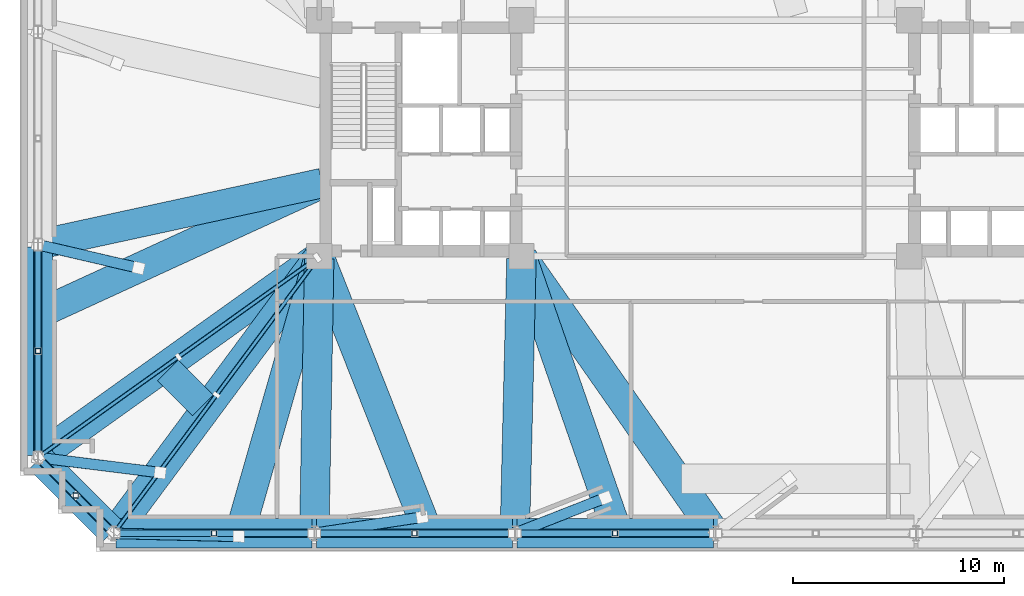
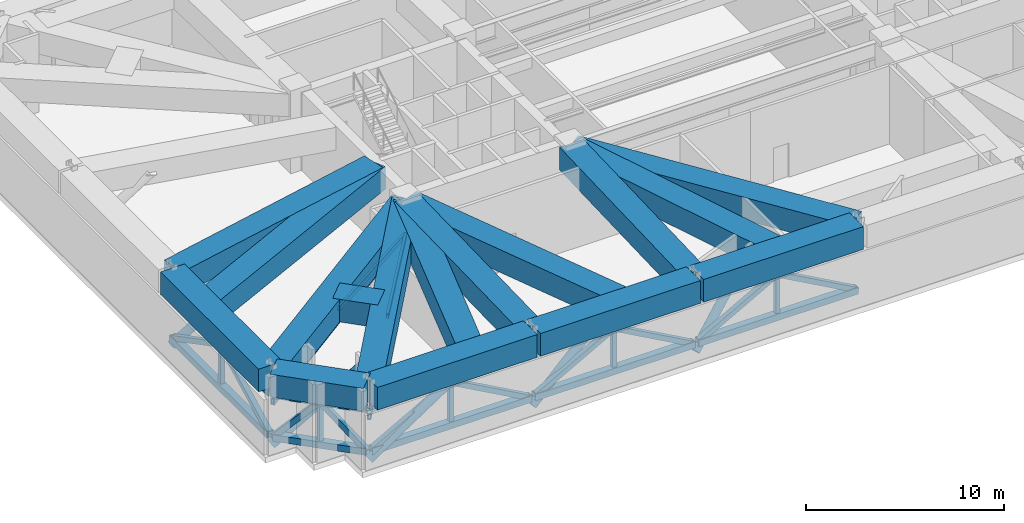
# One storey, part 4 of 20: 36 members, 16 beams.
"""IFC4 building model written with IfcOpenShell, lengths in metres."""

from ifc_helpers import new_model, si_unit, direction, frame, origin, origin_2d, place, context, subcontext, project, spatial, rectangle, hollow_rectangle, hollow_circle, extrude, material, material_profile, profile_set, type_object, element, save


model = new_model("IFC4")

# Units and contexts
model_context = context("Model", 3, precision=1e-05, world=origin(), true_north=direction((0.0, 1.0)))
body_context = subcontext(model_context, "Body", "Model", "MODEL_VIEW")
ifc_project = project(units=[si_unit("LENGTHUNIT", "METRE"), si_unit("AREAUNIT", "SQUARE_METRE"), si_unit("VOLUMEUNIT", "CUBIC_METRE"), si_unit("PLANEANGLEUNIT", "RADIAN"), si_unit("MASSUNIT", "GRAM", prefix="KILO")], contexts=[model_context])

# Site, building, storey
site_placement = place(None, origin())
site = spatial("IfcSite", under=ifc_project, at=site_placement, CompositionType="ELEMENT")
building_placement = place(site_placement, origin())
building = spatial("IfcBuilding", under=site, at=building_placement, Name="Qobustan Lattice House", CompositionType="ELEMENT")
storey_placement = place(building_placement, frame((0.0, 0.0, 73.89990234375)))
storey = spatial("IfcBuildingStorey", under=building, at=storey_placement, Name="L20", CompositionType="ELEMENT", Elevation=73.89990234375)

# Beams
ifc_material_1 = material(Name="Concrete C60/75", Category="concrete")
ifc_material_profile_1 = material_profile(ifc_material_1, rectangle(XDim=1.39990234375, YDim=1.39990234375, at=origin_2d()), Name="RC1400x1400")
ifc_profile_set_1 = profile_set([ifc_material_profile_1], Name="Concrete C60/75")
beam_type = type_object("IfcBeamType", Name="BM-TRG-RC1400", PredefinedType="USERDEFINED", material=ifc_profile_set_1)
for number, where, z_axis, x_axis, name in (
    (1, (-28.449951171875, -18.75, 4.1201171875), (1.0, 0.0, 0.0), (0.0, 1.0, 0.0), "L20 TT1 lower perimeter transfer girder S1-S2"),
    (2, (-18.933349609375, -18.75, 4.1201171875), (1.0, 0.0, 0.0), (0.0, 1.0, 0.0), "L20 TT1 lower perimeter transfer girder S2-S3"),
    (3, (-9.416748046875, -18.75, 4.1201171875), (1.0, 0.0, 0.0), (0.0, 1.0, 0.0), "L20 TT1 lower perimeter transfer girder S3-S4"),
):
    element("IfcBeam", number, at=place(storey_placement, frame(where, z_axis=z_axis, x_axis=x_axis)), inside=storey, type_object=beam_type, Name=name, ObjectType="GIRDER", PredefinedType="USERDEFINED", context=body_context, shape_type="SweptSolid", body=[
        extrude(rectangle(XDim=1.39990234375, YDim=1.39990234375, at=origin_2d()), origin(), (0.0, 0.0, 1.0), 9.316650390625),
    ])
beam_1_placement = place(storey_placement, frame((-32.14990234375, -5.14990234375, 4.1201171875), z_axis=(0.0, -1.0, 0.0), x_axis=(1.0, 0.0, 0.0)))
element("IfcBeam", 4, at=beam_1_placement, inside=storey, type_object=beam_type, Name="L20 TT1 lower perimeter transfer girder W3-W4", ObjectType="GIRDER", PredefinedType="USERDEFINED", context=body_context, shape_type="SweptSolid", body=[
    extrude(rectangle(XDim=1.39990234375, YDim=1.39990234375, at=origin_2d()), origin(), (0.0, 0.0, 1.0), 9.900146484375),
])
beam_2_placement = place(storey_placement, frame((-32.079345703125, -15.220703125, 4.1201171875), z_axis=(0.70713173775, -0.707081823743, 0.0), x_axis=(0.707081823743, 0.70713173775, 0.0)))
element("IfcBeam", 5, at=beam_2_placement, inside=storey, type_object=beam_type, Name="L20 TT1 lower perimeter transfer girder W4-S1", ObjectType="GIRDER", PredefinedType="USERDEFINED", context=body_context, shape_type="SweptSolid", body=[
    extrude(rectangle(XDim=1.39990234375, YDim=1.39990234375, at=origin_2d()), origin(), (0.0, 0.0, 1.0), 4.89111328125),
])
beam_3_placement = place(storey_placement, frame((-18.87158203125, -5.6962890625, 4.1201171875), z_axis=(-0.595585839157, -0.803291670688, 0.0), x_axis=(0.803291670688, -0.595585839157, 0.0)))
element("IfcBeam", 6, at=beam_3_placement, inside=storey, type_object=beam_type, Name="L20 TT1 radial transfer girder S1", ObjectType="GIRDER", PredefinedType="USERDEFINED", context=body_context, shape_type="SweptSolid", body=[
    extrude(rectangle(XDim=1.39990234375, YDim=1.39990234375, at=origin_2d()), origin(), (0.0, 0.0, 1.0), 16.130126953125),
])
beam_4_placement = place(storey_placement, frame((-18.802001953125, -5.719970703125, 4.1201171875), z_axis=(-0.017754722816, -0.999842372486, 0.0), x_axis=(0.999842372486, -0.017754722816, 0.0)))
element("IfcBeam", 7, at=beam_4_placement, inside=storey, type_object=beam_type, Name="L20 TT1 radial transfer girder S2", ObjectType="GIRDER", PredefinedType="USERDEFINED", context=body_context, shape_type="SweptSolid", body=[
    extrude(rectangle(XDim=1.39990234375, YDim=1.39990234375, at=origin_2d()), origin(), (0.0, 0.0, 1.0), 12.911865234375),
])
beam_5_placement = place(storey_placement, frame((-9.202880859375, -5.719970703125, 4.1201171875), z_axis=(-0.024085750634, -0.999709896228, 0.0), x_axis=(0.999709896228, -0.024085750634, 0.0)))
element("IfcBeam", 8, at=beam_5_placement, inside=storey, type_object=beam_type, Name="L20 TT1 radial transfer girder S3", ObjectType="GIRDER", PredefinedType="USERDEFINED", context=body_context, shape_type="SweptSolid", body=[
    extrude(rectangle(XDim=1.39990234375, YDim=1.39990234375, at=origin_2d()), origin(), (0.0, 0.0, 1.0), 12.91357421875),
])
beam_6_placement = place(storey_placement, frame((-9.131103515625, -5.6982421875, 4.1201171875), z_axis=(0.57324570132, -0.819383527976, 0.0), x_axis=(0.819383527976, 0.57324570132, 0.0)))
element("IfcBeam", 9, at=beam_6_placement, inside=storey, type_object=beam_type, Name="L20 TT1 radial transfer girder S4", ObjectType="GIRDER", PredefinedType="USERDEFINED", context=body_context, shape_type="SweptSolid", body=[
    extrude(rectangle(XDim=1.39990234375, YDim=1.39990234375, at=origin_2d()), origin(), (0.0, 0.0, 1.0), 15.80859375),
])
beam_7_placement = place(storey_placement, frame((-18.667236328125, -2.12548828125, 4.1201171875), z_axis=(-0.977272930784, -0.211984949366, 0.0), x_axis=(0.211984949366, -0.977272930784, 0.0)))
element("IfcBeam", 10, at=beam_7_placement, inside=storey, type_object=beam_type, Name="L20 TT1 radial transfer girder W3", ObjectType="GIRDER", PredefinedType="USERDEFINED", context=body_context, shape_type="SweptSolid", body=[
    extrude(rectangle(XDim=1.39990234375, YDim=1.39990234375, at=origin_2d()), origin(), (0.0, 0.0, 1.0), 13.67626953125),
])
beam_8_placement = place(storey_placement, frame((-18.897705078125, -5.669921875, 4.1201171875), z_axis=(-0.813327350359, -0.581806343347, 0.0), x_axis=(0.581806343347, -0.813327350359, 0.0)))
element("IfcBeam", 11, at=beam_8_placement, inside=storey, type_object=beam_type, Name="L20 TT1 radial transfer girder W4", ObjectType="GIRDER", PredefinedType="USERDEFINED", context=body_context, shape_type="SweptSolid", body=[
    extrude(rectangle(XDim=1.39990234375, YDim=1.39990234375, at=origin_2d()), origin(), (0.0, 0.0, 1.0), 16.174072265625),
])
beam_9_placement = place(storey_placement, frame((-24.318115234375, -12.677001953125, 4.1201171875), z_axis=(-0.707055056174, 0.707158502415, 0.0), x_axis=(-0.707158502415, -0.707055056174, 0.0)))
element("IfcBeam", 12, at=beam_9_placement, inside=storey, type_object=beam_type, Name="L20 TT1 quadrant transfer tie girder 3", ObjectType="GIRDER", PredefinedType="USERDEFINED", context=body_context, shape_type="SweptSolid", body=[
    extrude(rectangle(XDim=1.39990234375, YDim=1.39990234375, at=origin_2d()), origin(), (0.0, 0.0, 1.0), 2.360107421875),
])
beam_10_placement = place(storey_placement, frame((-18.8330078125, -5.71533203125, 4.1201171875), z_axis=(-0.276127417213, -0.961121037884, 0.0), x_axis=(0.961121037884, -0.276127417213, 0.0)))
element("IfcBeam", 13, at=beam_10_placement, inside=storey, type_object=beam_type, Name="L20 TT1 primary column transfer girder S1", ObjectType="GIRDER", PredefinedType="USERDEFINED", context=body_context, shape_type="SweptSolid", body=[
    extrude(rectangle(XDim=1.39990234375, YDim=1.39990234375, at=origin_2d()), origin(), (0.0, 0.0, 1.0), 13.342041015625),
])
beam_11_placement = place(storey_placement, frame((-18.756103515625, -5.711669921875, 4.1201171875), z_axis=(0.366888905344, -0.930264763998, 0.0), x_axis=(0.930264763998, 0.366888905344, 0.0)))
element("IfcBeam", 14, at=beam_11_placement, inside=storey, type_object=beam_type, Name="L20 TT1 primary column transfer girder S2", ObjectType="GIRDER", PredefinedType="USERDEFINED", context=body_context, shape_type="SweptSolid", body=[
    extrude(rectangle(XDim=1.39990234375, YDim=1.39990234375, at=origin_2d()), origin(), (0.0, 0.0, 1.0), 13.7958984375),
])
beam_12_placement = place(storey_placement, frame((-9.16064453125, -5.71337890625, 4.1201171875), z_axis=(0.328276589853, -0.944581643139, 0.0), x_axis=(0.944581643139, 0.328276589853, 0.0)))
element("IfcBeam", 15, at=beam_12_placement, inside=storey, type_object=beam_type, Name="L20 TT1 primary column transfer girder S3", ObjectType="GIRDER", PredefinedType="USERDEFINED", context=body_context, shape_type="SweptSolid", body=[
    extrude(rectangle(XDim=1.39990234375, YDim=1.39990234375, at=origin_2d()), origin(), (0.0, 0.0, 1.0), 13.58154296875),
])
beam_13_placement = place(storey_placement, frame((-18.658935546875, -2.150146484375, 4.1201171875), z_axis=(-0.908673250035, -0.417507993541, 0.0), x_axis=(0.417507993541, -0.908673250035, 0.0)))
element("IfcBeam", 16, at=beam_13_placement, inside=storey, type_object=beam_type, Name="L20 TT1 primary column transfer girder W3", ObjectType="GIRDER", PredefinedType="USERDEFINED", context=body_context, shape_type="SweptSolid", body=[
    extrude(rectangle(XDim=1.39990234375, YDim=1.39990234375, at=origin_2d()), origin(), (0.0, 0.0, 1.0), 14.627197265625),
])

# Members
ifc_material_2 = material(Name="Steel S355", Category="steel")
ifc_material_profile_2 = material_profile(ifc_material_2, hollow_rectangle(XDim=0.14990234375, YDim=0.300048828125, WallThickness=0.012451171875, at=origin_2d()), Name="RHS300x150x12.5")
ifc_profile_set_2 = profile_set([ifc_material_profile_2], Name="Steel S355")
member_type_1 = type_object("IfcMemberType", Name="MEM-BRC-RHS300", PredefinedType="BRACE", material=ifc_profile_set_2)
for number, where, z_axis, x_axis, name in (
    (17, (-18.897705078125, -5.669921875, 2.550048828125), (-0.811170788015, -0.580263666034, 0.072773831507), (0.581806343347, -0.813327350359, 0.0), "L20 TT1 outrigger diagonal OUT-WS-1"),
    (18, (-25.47509765625, -10.375, 3.14013671875), (-0.811170788015, -0.580263666034, -0.072773831507), (0.581806343347, -0.813327350359, 0.0), "L20 TT1 outrigger diagonal OUT-WS-2"),
):
    element("IfcMember", number, at=place(storey_placement, frame(where, z_axis=z_axis, x_axis=x_axis)), inside=storey, type_object=member_type_1, Name=name, PredefinedType="BRACE", context=body_context, shape_type="SweptSolid", body=[
        extrude(hollow_rectangle(XDim=0.14990234375, YDim=0.300048828125, WallThickness=0.012451171875, at=origin_2d()), origin(), (0.0, 0.0, 1.0), 8.1083984375),
    ])
for number, where, z_axis, x_axis, name in (
    (19, (-18.87158203125, -5.6962890625, 2.550048828125), (-0.593990885889, -0.801155585201, 0.072969553809), (0.803297039527, -0.595578597909, 0.0), "L20 TT1 outrigger diagonal OUT-WN-1"),
    (20, (-23.675048828125, -12.175048828125, 3.14013671875), (-0.594005252993, -0.80114477222, -0.072971318754), (0.803286301652, -0.595593080532, 0.0), "L20 TT1 outrigger diagonal OUT-WN-2"),
):
    element("IfcMember", number, at=place(storey_placement, frame(where, z_axis=z_axis, x_axis=x_axis)), inside=storey, type_object=member_type_1, Name=name, PredefinedType="BRACE", context=body_context, shape_type="SweptSolid", body=[
        extrude(hollow_rectangle(XDim=0.14990234375, YDim=0.300048828125, WallThickness=0.012451171875, at=origin_2d()), origin(), (0.0, 0.0, 1.0), 8.086669921875),
    ])
ifc_material_3 = material(Name="Steel S355", Category="steel")
ifc_material_profile_3 = material_profile(ifc_material_3, hollow_rectangle(XDim=0.300048828125, YDim=0.300048828125, WallThickness=0.01611328125, at=origin_2d()), Name="SHS300x300x16")
ifc_profile_set_3 = profile_set([ifc_material_profile_3], Name="Steel S355")
member_type_2 = type_object("IfcMemberType", Name="MEM-BRC-SHS300", PredefinedType="BRACE", material=ifc_profile_set_3)
member_1_placement = place(storey_placement, frame((-28.449951171875, -18.75, 0.550048828125), z_axis=(0.873993021838, 0.0, 0.485938471185), x_axis=(0.0, 1.0, 0.0)))
element("IfcMember", 21, at=member_1_placement, inside=storey, type_object=member_type_2, Name="L20 TT1 belt truss web diagonal S1-S2 A", PredefinedType="BRACE", context=body_context, shape_type="SweptSolid", body=[
    extrude(hollow_rectangle(XDim=0.300048828125, YDim=0.300048828125, WallThickness=0.01611328125, at=origin_2d()), origin(), (0.0, 0.0, 1.0), 5.330078125),
])
member_2_placement = place(storey_placement, frame((-23.79150390625, -18.75, 3.14013671875), z_axis=(0.873982205121, 0.0, -0.485957925269), x_axis=(0.0, 1.0, 0.0)))
element("IfcMember", 22, at=member_2_placement, inside=storey, type_object=member_type_2, Name="L20 TT1 belt truss web diagonal S1-S2 B", PredefinedType="BRACE", context=body_context, shape_type="SweptSolid", body=[
    extrude(hollow_rectangle(XDim=0.300048828125, YDim=0.300048828125, WallThickness=0.01611328125, at=origin_2d()), origin(), (0.0, 0.0, 1.0), 5.329833984375),
])
member_3_placement = place(storey_placement, frame((-18.933349609375, -18.75, 0.550048828125), z_axis=(0.873993021838, 0.0, 0.485938471185), x_axis=(0.0, 1.0, 0.0)))
element("IfcMember", 23, at=member_3_placement, inside=storey, type_object=member_type_2, Name="L20 TT1 belt truss web diagonal S2-S3 A", PredefinedType="BRACE", context=body_context, shape_type="SweptSolid", body=[
    extrude(hollow_rectangle(XDim=0.300048828125, YDim=0.300048828125, WallThickness=0.01611328125, at=origin_2d()), origin(), (0.0, 0.0, 1.0), 5.330078125),
])
member_4_placement = place(storey_placement, frame((-14.27490234375, -18.75, 3.14013671875), z_axis=(0.873982205121, 0.0, -0.485957925269), x_axis=(0.0, 1.0, 0.0)))
element("IfcMember", 24, at=member_4_placement, inside=storey, type_object=member_type_2, Name="L20 TT1 belt truss web diagonal S2-S3 B", PredefinedType="BRACE", context=body_context, shape_type="SweptSolid", body=[
    extrude(hollow_rectangle(XDim=0.300048828125, YDim=0.300048828125, WallThickness=0.01611328125, at=origin_2d()), origin(), (0.0, 0.0, 1.0), 5.329833984375),
])
member_5_placement = place(storey_placement, frame((-9.416748046875, -18.75, 0.550048828125), z_axis=(0.873993021838, 0.0, 0.485938471185), x_axis=(0.0, 1.0, 0.0)))
element("IfcMember", 25, at=member_5_placement, inside=storey, type_object=member_type_2, Name="L20 TT1 belt truss web diagonal S3-S4 A", PredefinedType="BRACE", context=body_context, shape_type="SweptSolid", body=[
    extrude(hollow_rectangle(XDim=0.300048828125, YDim=0.300048828125, WallThickness=0.01611328125, at=origin_2d()), origin(), (0.0, 0.0, 1.0), 5.330078125),
])
member_6_placement = place(storey_placement, frame((-4.75830078125, -18.75, 3.14013671875), z_axis=(0.873982205121, 0.0, -0.485957925269), x_axis=(0.0, 1.0, 0.0)))
element("IfcMember", 26, at=member_6_placement, inside=storey, type_object=member_type_2, Name="L20 TT1 belt truss web diagonal S3-S4 B", PredefinedType="BRACE", context=body_context, shape_type="SweptSolid", body=[
    extrude(hollow_rectangle(XDim=0.300048828125, YDim=0.300048828125, WallThickness=0.01611328125, at=origin_2d()), origin(), (0.0, 0.0, 1.0), 5.329833984375),
])
member_7_placement = place(storey_placement, frame((-32.14990234375, -5.14990234375, 0.550048828125), z_axis=(0.0, -0.886042707559, 0.463603624211), x_axis=(1.0, 0.0, 0.0)))
element("IfcMember", 27, at=member_7_placement, inside=storey, type_object=member_type_2, Name="L20 TT1 belt truss web diagonal W3-W4 A", PredefinedType="BRACE", context=body_context, shape_type="SweptSolid", body=[
    extrude(hollow_rectangle(XDim=0.300048828125, YDim=0.300048828125, WallThickness=0.01611328125, at=origin_2d()), origin(), (0.0, 0.0, 1.0), 5.5869140625),
])
member_8_placement = place(storey_placement, frame((-32.14990234375, -10.10009765625, 3.14013671875), z_axis=(0.0, -0.886033314842, -0.463621575199), x_axis=(1.0, 0.0, 0.0)))
element("IfcMember", 28, at=member_8_placement, inside=storey, type_object=member_type_2, Name="L20 TT1 belt truss web diagonal W3-W4 B", PredefinedType="BRACE", context=body_context, shape_type="SweptSolid", body=[
    extrude(hollow_rectangle(XDim=0.300048828125, YDim=0.300048828125, WallThickness=0.01611328125, at=origin_2d()), origin(), (0.0, 0.0, 1.0), 5.586669921875),
])
for number, where, z_axis, x_axis, name in (
    (29, (-32.079345703125, -15.220703125, 0.550048828125), (0.485446057806, -0.485446057806, 0.727106766521), (0.707106781187, 0.707106781187, 0.0), "L20 TT1 belt truss web diagonal W4-S1 A"),
    (30, (-30.35009765625, -16.949951171875, 3.14013671875), (0.485498440745, -0.485429906239, -0.727082574515), (0.70705686718, 0.70715669167, 0.0), "L20 TT1 belt truss web diagonal W4-S1 B"),
):
    element("IfcMember", number, at=place(storey_placement, frame(where, z_axis=z_axis, x_axis=x_axis)), inside=storey, type_object=member_type_2, Name=name, PredefinedType="BRACE", context=body_context, shape_type="SweptSolid", body=[
        extrude(hollow_rectangle(XDim=0.300048828125, YDim=0.300048828125, WallThickness=0.01611328125, at=origin_2d()), origin(), (0.0, 0.0, 1.0), 3.562255859375),
    ])
ifc_material_4 = material(Name="Steel S355", Category="steel")
ifc_material_profile_4 = material_profile(ifc_material_4, hollow_rectangle(XDim=0.199951171875, YDim=0.39990234375, WallThickness=0.01611328125, at=origin_2d()), Name="RHS400x200x16")
ifc_profile_set_4 = profile_set([ifc_material_profile_4], Name="Steel S355")
member_type_3 = type_object("IfcMemberType", Name="MEM-CHD-RHS400", PredefinedType="CHORD", material=ifc_profile_set_4)
member_9_placement = place(storey_placement, frame((-18.897705078125, -5.669921875, 2.550048828125), z_axis=(-0.813327350359, -0.581806343347, 0.0), x_axis=(0.581806343347, -0.813327350359, 0.0)))
element("IfcMember", 31, at=member_9_placement, inside=storey, type_object=member_type_3, Name="L20 TT1 outrigger chord OUT-WS", PredefinedType="CHORD", context=body_context, shape_type="SweptSolid", body=[
    extrude(hollow_rectangle(XDim=0.199951171875, YDim=0.39990234375, WallThickness=0.01611328125, at=origin_2d()), origin(), (0.0, 0.0, 1.0), 16.174072265625),
])
member_10_placement = place(storey_placement, frame((-18.87158203125, -5.6962890625, 2.550048828125), z_axis=(-0.595585839157, -0.803291670688, 0.0), x_axis=(0.803291670688, -0.595585839157, 0.0)))
element("IfcMember", 32, at=member_10_placement, inside=storey, type_object=member_type_3, Name="L20 TT1 outrigger chord OUT-WN", PredefinedType="CHORD", context=body_context, shape_type="SweptSolid", body=[
    extrude(hollow_rectangle(XDim=0.199951171875, YDim=0.39990234375, WallThickness=0.01611328125, at=origin_2d()), origin(), (0.0, 0.0, 1.0), 16.130126953125),
])
ifc_material_5 = material(Name="Steel S355", Category="steel")
ifc_material_profile_5 = material_profile(ifc_material_5, hollow_rectangle(XDim=0.35009765625, YDim=0.35009765625, WallThickness=0.01611328125, at=origin_2d()), Name="SHS350x350x16")
ifc_profile_set_5 = profile_set([ifc_material_profile_5], Name="Steel S355")
member_type_4 = type_object("IfcMemberType", Name="MEM-CHD-SHS350", PredefinedType="CHORD", material=ifc_profile_set_5)
for number, where, z_axis, x_axis, name in (
    (33, (-28.449951171875, -18.75, 3.14013671875), (1.0, 0.0, 0.0), (0.0, 1.0, 0.0), "L20 TT1 belt truss top chord S1-S2"),
    (34, (-18.933349609375, -18.75, 3.14013671875), (1.0, 0.0, 0.0), (0.0, 1.0, 0.0), "L20 TT1 belt truss top chord S2-S3"),
    (35, (-9.416748046875, -18.75, 3.14013671875), (1.0, 0.0, 0.0), (0.0, 1.0, 0.0), "L20 TT1 belt truss top chord S3-S4"),
):
    element("IfcMember", number, at=place(storey_placement, frame(where, z_axis=z_axis, x_axis=x_axis)), inside=storey, type_object=member_type_4, Name=name, PredefinedType="CHORD", context=body_context, shape_type="SweptSolid", body=[
        extrude(hollow_rectangle(XDim=0.35009765625, YDim=0.35009765625, WallThickness=0.01611328125, at=origin_2d()), origin(), (0.0, 0.0, 1.0), 9.316650390625),
    ])
member_11_placement = place(storey_placement, frame((-32.14990234375, -5.14990234375, 3.14013671875), z_axis=(0.0, -1.0, 0.0), x_axis=(1.0, 0.0, 0.0)))
element("IfcMember", 36, at=member_11_placement, inside=storey, type_object=member_type_4, Name="L20 TT1 belt truss top chord W3-W4", PredefinedType="CHORD", context=body_context, shape_type="SweptSolid", body=[
    extrude(hollow_rectangle(XDim=0.35009765625, YDim=0.35009765625, WallThickness=0.01611328125, at=origin_2d()), origin(), (0.0, 0.0, 1.0), 9.900146484375),
])
member_12_placement = place(storey_placement, frame((-32.079345703125, -15.220703125, 3.14013671875), z_axis=(0.70713173775, -0.707081823743, 0.0), x_axis=(0.707081823743, 0.70713173775, 0.0)))
element("IfcMember", 37, at=member_12_placement, inside=storey, type_object=member_type_4, Name="L20 TT1 belt truss top chord W4-S1", PredefinedType="CHORD", context=body_context, shape_type="SweptSolid", body=[
    extrude(hollow_rectangle(XDim=0.35009765625, YDim=0.35009765625, WallThickness=0.01611328125, at=origin_2d()), origin(), (0.0, 0.0, 1.0), 4.89111328125),
])
ifc_material_6 = material(Name="Steel S355", Category="steel")
ifc_material_profile_6 = material_profile(ifc_material_6, hollow_rectangle(XDim=0.39990234375, YDim=0.39990234375, WallThickness=0.02001953125, at=origin_2d()), Name="SHS400x400x20")
ifc_profile_set_6 = profile_set([ifc_material_profile_6], Name="Steel S355")
member_type_5 = type_object("IfcMemberType", Name="MEM-CHD-SHS400", PredefinedType="CHORD", material=ifc_profile_set_6)
for number, where, z_axis, x_axis, name in (
    (38, (-28.449951171875, -18.75, 0.550048828125), (1.0, 0.0, 0.0), (0.0, 1.0, 0.0), "L20 TT1 belt truss bottom chord S1-S2"),
    (39, (-18.933349609375, -18.75, 0.550048828125), (1.0, 0.0, 0.0), (0.0, 1.0, 0.0), "L20 TT1 belt truss bottom chord S2-S3"),
    (40, (-9.416748046875, -18.75, 0.550048828125), (1.0, 0.0, 0.0), (0.0, 1.0, 0.0), "L20 TT1 belt truss bottom chord S3-S4"),
):
    element("IfcMember", number, at=place(storey_placement, frame(where, z_axis=z_axis, x_axis=x_axis)), inside=storey, type_object=member_type_5, Name=name, PredefinedType="CHORD", context=body_context, shape_type="SweptSolid", body=[
        extrude(hollow_rectangle(XDim=0.39990234375, YDim=0.39990234375, WallThickness=0.02001953125, at=origin_2d()), origin(), (0.0, 0.0, 1.0), 9.316650390625),
    ])
member_13_placement = place(storey_placement, frame((-32.14990234375, -5.14990234375, 0.550048828125), z_axis=(0.0, -1.0, 0.0), x_axis=(1.0, 0.0, 0.0)))
element("IfcMember", 41, at=member_13_placement, inside=storey, type_object=member_type_5, Name="L20 TT1 belt truss bottom chord W3-W4", PredefinedType="CHORD", context=body_context, shape_type="SweptSolid", body=[
    extrude(hollow_rectangle(XDim=0.39990234375, YDim=0.39990234375, WallThickness=0.02001953125, at=origin_2d()), origin(), (0.0, 0.0, 1.0), 9.900146484375),
])
member_14_placement = place(storey_placement, frame((-32.079345703125, -15.220703125, 0.550048828125), z_axis=(0.70713173775, -0.707081823743, 0.0), x_axis=(0.707081823743, 0.70713173775, 0.0)))
element("IfcMember", 42, at=member_14_placement, inside=storey, type_object=member_type_5, Name="L20 TT1 belt truss bottom chord W4-S1", PredefinedType="CHORD", context=body_context, shape_type="SweptSolid", body=[
    extrude(hollow_rectangle(XDim=0.39990234375, YDim=0.39990234375, WallThickness=0.02001953125, at=origin_2d()), origin(), (0.0, 0.0, 1.0), 4.89111328125),
])
ifc_material_7 = material(Name="Steel S355", Category="steel")
ifc_material_profile_7 = material_profile(ifc_material_7, hollow_rectangle(XDim=0.25, YDim=0.25, WallThickness=0.012451171875, at=origin_2d()), Name="SHS250x250x12.5")
ifc_profile_set_7 = profile_set([ifc_material_profile_7], Name="Steel S355")
member_type_6 = type_object("IfcMemberType", Name="MEM-PST-SHS250", PredefinedType="POST", material=ifc_profile_set_7)
for number, where, z_axis, x_axis, name in (
    (43, (-23.79150390625, -18.75, 0.550048828125), (0.0, 0.0, 1.0), (1.0, 0.0, 0.0), "L20 TT1 belt truss vertical post S1-S2"),
    (44, (-14.27490234375, -18.75, 0.550048828125), (0.0, 0.0, 1.0), (1.0, 0.0, 0.0), "L20 TT1 belt truss vertical post S2-S3"),
    (45, (-4.75830078125, -18.75, 0.550048828125), (0.0, 0.0, 1.0), (1.0, 0.0, 0.0), "L20 TT1 belt truss vertical post S3-S4"),
    (46, (-32.14990234375, -10.10009765625, 0.550048828125), (0.0, 0.0, 1.0), (1.0, 0.0, 0.0), "L20 TT1 belt truss vertical post W3-W4"),
    (47, (-30.35009765625, -16.949951171875, 0.550048828125), (0.0, 0.0, 1.0), (1.0, 0.0, 0.0), "L20 TT1 belt truss vertical post W4-S1"),
):
    element("IfcMember", number, at=place(storey_placement, frame(where, z_axis=z_axis, x_axis=x_axis)), inside=storey, type_object=member_type_6, Name=name, PredefinedType="POST", context=body_context, shape_type="SweptSolid", body=[
        extrude(hollow_rectangle(XDim=0.25, YDim=0.25, WallThickness=0.012451171875, at=origin_2d()), origin(), (0.0, 0.0, 1.0), 2.590087890625),
    ])
ifc_material_8 = material(Name="Steel S355", Category="steel")
ifc_material_profile_8 = material_profile(ifc_material_8, hollow_circle(Radius=0.25390625, WallThickness=0.02001953125, at=origin_2d()), Name="CHS508x20")
ifc_profile_set_8 = profile_set([ifc_material_profile_8], Name="Steel S355")
member_type_7 = type_object("IfcMemberType", Name="MEM-STR-CHS508", PredefinedType="STRUT", material=ifc_profile_set_8)
member_15_placement = place(storey_placement, frame((-28.550048828125, -18.75, 0.01513671875), z_axis=(0.822082093402, -0.020101957989, 0.569014009487), x_axis=(0.024445187552, 0.999701171754, 0.0)))
element("IfcMember", 48, at=member_15_placement, inside=storey, type_object=member_type_7, Name="L20 TT1 column transfer strut S1", PredefinedType="STRUT", context=body_context, shape_type="SweptSolid", body=[
    extrude(hollow_circle(Radius=0.25390625, WallThickness=0.02001953125, at=origin_2d()), origin(), (0.0, 0.0, 1.0), 7.214111328125),
])
member_16_placement = place(storey_placement, frame((-19.033203125, -18.75, 0.01513671875), z_axis=(0.774632507775, 0.116523893505, 0.621583992829), x_axis=(-0.148751212287, 0.988874651735, 0.0)))
element("IfcMember", 49, at=member_16_placement, inside=storey, type_object=member_type_7, Name="L20 TT1 column transfer strut S2", PredefinedType="STRUT", context=body_context, shape_type="SweptSolid", body=[
    extrude(hollow_circle(Radius=0.25390625, WallThickness=0.02001953125, at=origin_2d()), origin(), (0.0, 0.0, 1.0), 6.60400390625),
])
member_17_placement = place(storey_placement, frame((-9.5166015625, -18.75, 0.01513671875), z_axis=(0.69603166757, 0.27255775199, 0.664268160888), x_axis=(-0.364628508894, 0.931153075763, 0.0)))
element("IfcMember", 50, at=member_17_placement, inside=storey, type_object=member_type_7, Name="L20 TT1 column transfer strut S3", PredefinedType="STRUT", context=body_context, shape_type="SweptSolid", body=[
    extrude(hollow_circle(Radius=0.25390625, WallThickness=0.02001953125, at=origin_2d()), origin(), (0.0, 0.0, 1.0), 6.1796875),
])
member_18_placement = place(storey_placement, frame((-32.14990234375, -5.050048828125, 0.01513671875), z_axis=(0.746713689456, -0.17303253431, 0.642244819403), x_axis=(0.225743811105, 0.974186702715, 0.0)))
element("IfcMember", 51, at=member_18_placement, inside=storey, type_object=member_type_7, Name="L20 TT1 column transfer strut W3", PredefinedType="STRUT", context=body_context, shape_type="SweptSolid", body=[
    extrude(hollow_circle(Radius=0.25390625, WallThickness=0.02001953125, at=origin_2d()), origin(), (0.0, 0.0, 1.0), 6.3916015625),
])
member_19_placement = place(storey_placement, frame((-32.14990234375, -15.14990234375, 0.01513671875), z_axis=(0.811799593088, -0.100743744539, 0.575180074931), x_axis=(0.12315457371, 0.992387500412, 0.0)))
element("IfcMember", 52, at=member_19_placement, inside=storey, type_object=member_type_7, Name="L20 TT1 column transfer strut W4", PredefinedType="STRUT", context=body_context, shape_type="SweptSolid", body=[
    extrude(hollow_circle(Radius=0.25390625, WallThickness=0.02001953125, at=origin_2d()), origin(), (0.0, 0.0, 1.0), 7.136962890625),
])

save(model, "model.ifc")
